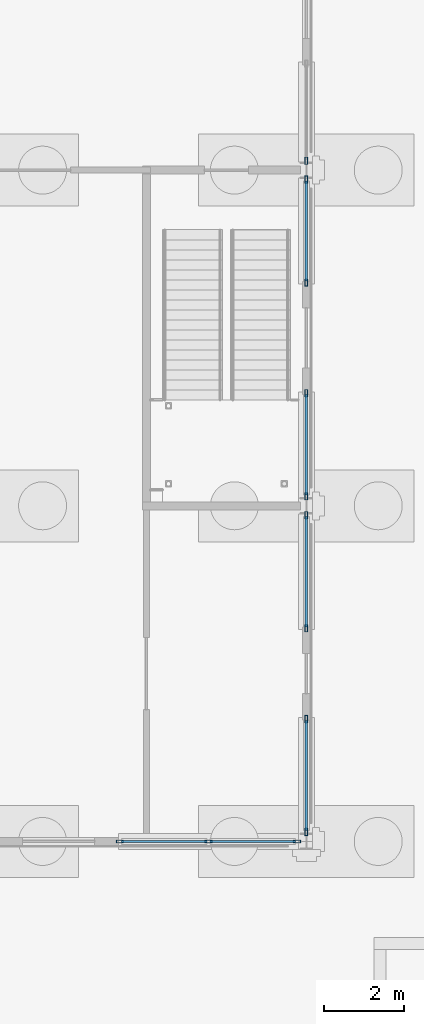
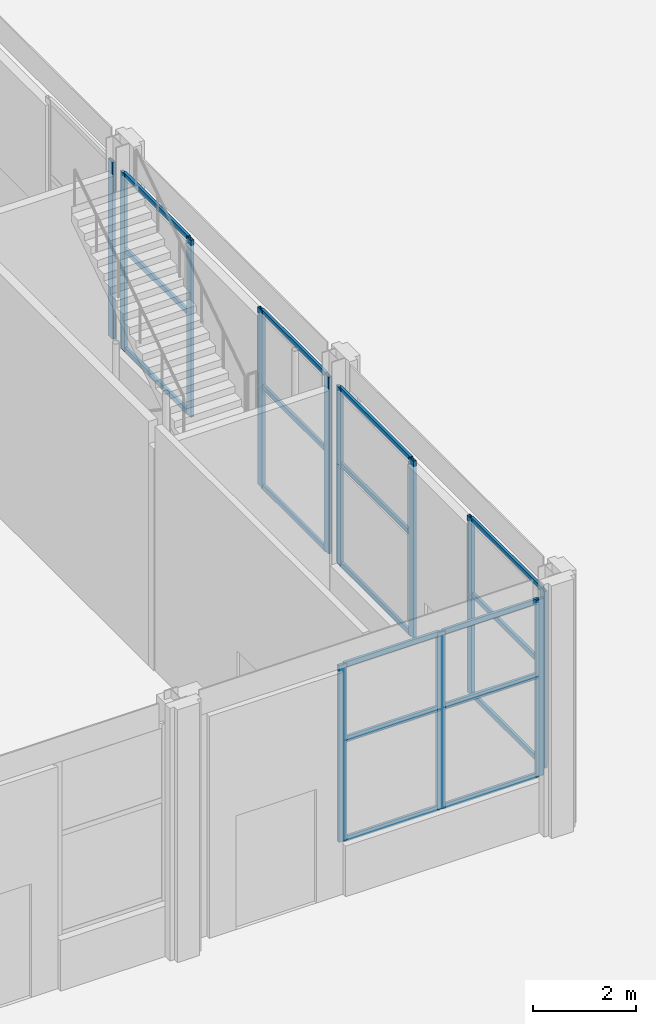
# One storey, part 156 of 212: 30 members, 6 elements without a shape of their own.
"""IFC4 building model written with IfcOpenShell, lengths in metres."""

from ifc_helpers import new_model, si_unit, direction, frame, origin, origin_2d, place, context, subcontext, project, spatial, hollow_rectangle, extrude, material, material_profile, profile_set, type_object, element, aggregate, save


model = new_model("IFC4")

# Units and contexts
model_context = context("Model", 3, precision=1e-05, world=origin(), true_north=direction((0.0, 1.0)))
body_context = subcontext(model_context, "Body", "Model", "MODEL_VIEW")
ifc_project = project(units=[si_unit("LENGTHUNIT", "METRE"), si_unit("AREAUNIT", "SQUARE_METRE"), si_unit("VOLUMEUNIT", "CUBIC_METRE"), si_unit("PLANEANGLEUNIT", "RADIAN"), si_unit("MASSUNIT", "GRAM", prefix="KILO")], contexts=[model_context])

# Site, building, storey
site_placement = place(None, origin())
site = spatial("IfcSite", under=ifc_project, at=site_placement, CompositionType="ELEMENT")
building_placement = place(site_placement, origin())
building = spatial("IfcBuilding", under=site, at=building_placement, Name="Catenary Quay Ferry Terminal", CompositionType="ELEMENT")
storey_placement = place(building_placement, origin())
storey = spatial("IfcBuildingStorey", under=building, at=storey_placement, Name="L00", CompositionType="ELEMENT", Elevation=0.0)

# Curtain wall, members
ifc_material_1 = material(Name="Aluminium and glass", Category="aluminium")
curtain_wall_type_1 = type_object("IfcCurtainWallType", Name="CWW4", PredefinedType="NOTDEFINED", material=ifc_material_1)
curtain_wall_1_placement = place(storey_placement, origin())
curtain_wall_1 = element("IfcCurtainWall", 1, at=curtain_wall_1_placement, inside=storey, type_object=curtain_wall_type_1, Name="Wing curtain wall CW92", PredefinedType="NOTDEFINED")
ifc_material_2 = material(Name="Aluminium", Category="aluminium")
ifc_material_profile_1 = material_profile(ifc_material_2, hollow_rectangle(XDim=0.070068359375, YDim=0.179931640625, WallThickness=0.006103515625, at=origin_2d()), Name="MU3")
ifc_profile_set_1 = profile_set([ifc_material_profile_1], Name="Aluminium")
member_type_1 = type_object("IfcMemberType", Name="MU3", PredefinedType="MULLION", material=ifc_profile_set_1)
member_1_placement = place(storey_placement, frame((67.199951171875, 159.8349609375, 1.199951171875), z_axis=(0.0, 0.0, 1.0), x_axis=(-1.0, 0.0, 0.0)))
member_1 = element("IfcMember", 2, at=member_1_placement, type_object=member_type_1, Name="CW92 mullion 1", PredefinedType="MULLION", context=body_context, shape_type="SweptSolid", body=[
    extrude(hollow_rectangle(XDim=0.070068359375, YDim=0.179931640625, WallThickness=0.006103515625, at=origin_2d()), origin(), (0.0, 0.0, 1.0), 4.199951171875),
])
member_2_placement = place(storey_placement, frame((67.199951171875, 162.6650390625, 1.199951171875), z_axis=(0.0, 0.0, 1.0), x_axis=(-1.0, 0.0, 0.0)))
member_2 = element("IfcMember", 3, at=member_2_placement, type_object=member_type_1, Name="CW92 mullion 2", PredefinedType="MULLION", context=body_context, shape_type="SweptSolid", body=[
    extrude(hollow_rectangle(XDim=0.070068359375, YDim=0.179931640625, WallThickness=0.006103515625, at=origin_2d()), origin(), (0.0, 0.0, 1.0), 4.199951171875),
])

curtain_wall_2_placement = place(storey_placement, origin())
curtain_wall_2 = element("IfcCurtainWall", 4, at=curtain_wall_2_placement, inside=storey, type_object=curtain_wall_type_1, Name="Wing curtain wall CW93", PredefinedType="NOTDEFINED")
member_3_placement = place(storey_placement, frame((67.199951171875, 164.93505859375, 1.199951171875), z_axis=(0.0, 0.0, 1.0), x_axis=(-1.0, 0.0, 0.0)))
member_3 = element("IfcMember", 5, at=member_3_placement, type_object=member_type_1, Name="CW93 mullion 1", PredefinedType="MULLION", context=body_context, shape_type="SweptSolid", body=[
    extrude(hollow_rectangle(XDim=0.070068359375, YDim=0.179931640625, WallThickness=0.006103515625, at=origin_2d()), origin(), (0.0, 0.0, 1.0), 4.199951171875),
])
member_4_placement = place(storey_placement, frame((67.199951171875, 167.764892578125, 1.199951171875), z_axis=(0.0, 0.0, 1.0), x_axis=(-1.0, 0.0, 0.0)))
member_4 = element("IfcMember", 6, at=member_4_placement, type_object=member_type_1, Name="CW93 mullion 2", PredefinedType="MULLION", context=body_context, shape_type="SweptSolid", body=[
    extrude(hollow_rectangle(XDim=0.070068359375, YDim=0.179931640625, WallThickness=0.006103515625, at=origin_2d()), origin(), (0.0, 0.0, 1.0), 4.199951171875),
])

curtain_wall_3_placement = place(storey_placement, origin())
curtain_wall_3 = element("IfcCurtainWall", 7, at=curtain_wall_3_placement, inside=storey, type_object=curtain_wall_type_1, Name="Wing curtain wall CW94", PredefinedType="NOTDEFINED")
member_5_placement = place(storey_placement, frame((67.199951171875, 168.235107421875, 1.199951171875), z_axis=(0.0, 0.0, 1.0), x_axis=(-1.0, 0.0, 0.0)))
member_5 = element("IfcMember", 8, at=member_5_placement, type_object=member_type_1, Name="CW94 mullion 1", PredefinedType="MULLION", context=body_context, shape_type="SweptSolid", body=[
    extrude(hollow_rectangle(XDim=0.070068359375, YDim=0.179931640625, WallThickness=0.006103515625, at=origin_2d()), origin(), (0.0, 0.0, 1.0), 4.199951171875),
])
member_6_placement = place(storey_placement, frame((67.199951171875, 170.81494140625, 1.199951171875), z_axis=(0.0, 0.0, 1.0), x_axis=(-1.0, 0.0, 0.0)))
member_6 = element("IfcMember", 9, at=member_6_placement, type_object=member_type_1, Name="CW94 mullion 2", PredefinedType="MULLION", context=body_context, shape_type="SweptSolid", body=[
    extrude(hollow_rectangle(XDim=0.070068359375, YDim=0.179931640625, WallThickness=0.006103515625, at=origin_2d()), origin(), (0.0, 0.0, 1.0), 4.199951171875),
])

curtain_wall_4_placement = place(storey_placement, origin())
curtain_wall_4 = element("IfcCurtainWall", 10, at=curtain_wall_4_placement, inside=storey, type_object=curtain_wall_type_1, Name="Wing curtain wall CW95", PredefinedType="NOTDEFINED")
member_7_placement = place(storey_placement, frame((67.199951171875, 173.5849609375, 1.199951171875), z_axis=(0.0, 0.0, 1.0), x_axis=(-1.0, 0.0, 0.0)))
member_7 = element("IfcMember", 11, at=member_7_placement, type_object=member_type_1, Name="CW95 mullion 1", PredefinedType="MULLION", context=body_context, shape_type="SweptSolid", body=[
    extrude(hollow_rectangle(XDim=0.070068359375, YDim=0.179931640625, WallThickness=0.006103515625, at=origin_2d()), origin(), (0.0, 0.0, 1.0), 4.199951171875),
])
member_8_placement = place(storey_placement, frame((67.199951171875, 176.1650390625, 1.199951171875), z_axis=(0.0, 0.0, 1.0), x_axis=(-1.0, 0.0, 0.0)))
member_8 = element("IfcMember", 12, at=member_8_placement, type_object=member_type_1, Name="CW95 mullion 2", PredefinedType="MULLION", context=body_context, shape_type="SweptSolid", body=[
    extrude(hollow_rectangle(XDim=0.070068359375, YDim=0.179931640625, WallThickness=0.006103515625, at=origin_2d()), origin(), (0.0, 0.0, 1.0), 4.199951171875),
])

# Curtain wall, member
ifc_material_3 = material(Name="Aluminium and glass", Category="aluminium")
curtain_wall_type_2 = type_object("IfcCurtainWallType", Name="CWW1", PredefinedType="NOTDEFINED", material=ifc_material_3)
curtain_wall_5_placement = place(storey_placement, origin())
curtain_wall_5 = element("IfcCurtainWall", 13, at=curtain_wall_5_placement, inside=storey, type_object=curtain_wall_type_2, Name="Wing curtain wall CW96", PredefinedType="NOTDEFINED")
member_9_placement = place(storey_placement, frame((67.199951171875, 176.635009765625, 1.199951171875), z_axis=(0.0, 0.0, 1.0), x_axis=(-1.0, 0.0, 0.0)))
member_9 = element("IfcMember", 14, at=member_9_placement, type_object=member_type_1, Name="CW96 mullion 1", PredefinedType="MULLION", context=body_context, shape_type="SweptSolid", body=[
    extrude(hollow_rectangle(XDim=0.070068359375, YDim=0.179931640625, WallThickness=0.006103515625, at=origin_2d()), origin(), (0.0, 0.0, 1.0), 4.199951171875),
])
aggregate(curtain_wall_5, [member_9])

# Curtain wall, members
curtain_wall_6_placement = place(storey_placement, origin())
curtain_wall_6 = element("IfcCurtainWall", 15, at=curtain_wall_6_placement, inside=storey, type_object=curtain_wall_type_1, Name="Wing curtain wall CW115", PredefinedType="NOTDEFINED")
member_10_placement = place(storey_placement, frame((62.534912109375, 159.60009765625, 1.199951171875), z_axis=(0.0, 0.0, 1.0), x_axis=(0.0, 1.0, 0.0)))
member_10 = element("IfcMember", 16, at=member_10_placement, type_object=member_type_1, Name="CW115 mullion 1", PredefinedType="MULLION", context=body_context, shape_type="SweptSolid", body=[
    extrude(hollow_rectangle(XDim=0.070068359375, YDim=0.179931640625, WallThickness=0.006103515625, at=origin_2d()), origin(), (0.0, 0.0, 1.0), 4.199951171875),
])
member_11_placement = place(storey_placement, frame((64.75, 159.60009765625, 1.199951171875), z_axis=(0.0, 0.0, 1.0), x_axis=(0.0, 1.0, 0.0)))
member_11 = element("IfcMember", 17, at=member_11_placement, type_object=member_type_1, Name="CW115 mullion 2", PredefinedType="MULLION", context=body_context, shape_type="SweptSolid", body=[
    extrude(hollow_rectangle(XDim=0.070068359375, YDim=0.179931640625, WallThickness=0.006103515625, at=origin_2d()), origin(), (0.0, 0.0, 1.0), 4.199951171875),
])
member_12_placement = place(storey_placement, frame((66.965087890625, 159.60009765625, 1.199951171875), z_axis=(0.0, 0.0, 1.0), x_axis=(0.0, 1.0, 0.0)))
member_12 = element("IfcMember", 18, at=member_12_placement, type_object=member_type_1, Name="CW115 mullion 3", PredefinedType="MULLION", context=body_context, shape_type="SweptSolid", body=[
    extrude(hollow_rectangle(XDim=0.070068359375, YDim=0.179931640625, WallThickness=0.006103515625, at=origin_2d()), origin(), (0.0, 0.0, 1.0), 4.199951171875),
])

# Member
ifc_material_4 = material(Name="Aluminium", Category="aluminium")
ifc_material_profile_2 = material_profile(ifc_material_4, hollow_rectangle(XDim=0.06005859375, YDim=0.1201171875, WallThickness=0.0048828125, at=origin_2d()), Name="TR3")
ifc_profile_set_2 = profile_set([ifc_material_profile_2], Name="Aluminium")
member_type_2 = type_object("IfcMemberType", Name="TR3", PredefinedType="USERDEFINED", material=ifc_profile_set_2)
member_13_placement = place(storey_placement, frame((67.199951171875, 159.8701171875, 1.22998046875), z_axis=(0.0, 1.0, 0.0), x_axis=(-1.0, 0.0, 0.0)))
member_13 = element("IfcMember", 19, at=member_13_placement, type_object=member_type_2, Name="CW92 transom 1.1", ObjectType="TRANSOM", PredefinedType="USERDEFINED", context=body_context, shape_type="SweptSolid", body=[
    extrude(hollow_rectangle(XDim=0.06005859375, YDim=0.1201171875, WallThickness=0.0048828125, at=origin_2d()), origin(), (0.0, 0.0, 1.0), 2.759765625),
])

member_14_placement = place(storey_placement, frame((67.199951171875, 159.8701171875, 3.60009765625), z_axis=(0.0, 1.0, 0.0), x_axis=(-1.0, 0.0, 0.0)))
member_14 = element("IfcMember", 20, at=member_14_placement, type_object=member_type_2, Name="CW92 transom 1.2", ObjectType="TRANSOM", PredefinedType="USERDEFINED", context=body_context, shape_type="SweptSolid", body=[
    extrude(hollow_rectangle(XDim=0.06005859375, YDim=0.1201171875, WallThickness=0.0048828125, at=origin_2d()), origin(), (0.0, 0.0, 1.0), 2.759765625),
])

member_15_placement = place(storey_placement, frame((67.199951171875, 159.8701171875, 5.3701171875), z_axis=(0.0, 1.0, 0.0), x_axis=(-1.0, 0.0, 0.0)))
member_15 = element("IfcMember", 21, at=member_15_placement, type_object=member_type_2, Name="CW92 transom 1.3", ObjectType="TRANSOM", PredefinedType="USERDEFINED", context=body_context, shape_type="SweptSolid", body=[
    extrude(hollow_rectangle(XDim=0.06005859375, YDim=0.1201171875, WallThickness=0.0048828125, at=origin_2d()), origin(), (0.0, 0.0, 1.0), 2.759765625),
])

aggregate(curtain_wall_1, [member_1, member_2, member_13, member_14, member_15])

member_16_placement = place(storey_placement, frame((67.199951171875, 164.969970703125, 1.22998046875), z_axis=(0.0, 1.0, 0.0), x_axis=(-1.0, 0.0, 0.0)))
member_16 = element("IfcMember", 22, at=member_16_placement, type_object=member_type_2, Name="CW93 transom 1.1", ObjectType="TRANSOM", PredefinedType="USERDEFINED", context=body_context, shape_type="SweptSolid", body=[
    extrude(hollow_rectangle(XDim=0.06005859375, YDim=0.1201171875, WallThickness=0.0048828125, at=origin_2d()), origin(), (0.0, 0.0, 1.0), 2.760009765625),
])

member_17_placement = place(storey_placement, frame((67.199951171875, 164.969970703125, 3.60009765625), z_axis=(0.0, 1.0, 0.0), x_axis=(-1.0, 0.0, 0.0)))
member_17 = element("IfcMember", 23, at=member_17_placement, type_object=member_type_2, Name="CW93 transom 1.2", ObjectType="TRANSOM", PredefinedType="USERDEFINED", context=body_context, shape_type="SweptSolid", body=[
    extrude(hollow_rectangle(XDim=0.06005859375, YDim=0.1201171875, WallThickness=0.0048828125, at=origin_2d()), origin(), (0.0, 0.0, 1.0), 2.760009765625),
])

member_18_placement = place(storey_placement, frame((67.199951171875, 164.969970703125, 5.3701171875), z_axis=(0.0, 1.0, 0.0), x_axis=(-1.0, 0.0, 0.0)))
member_18 = element("IfcMember", 24, at=member_18_placement, type_object=member_type_2, Name="CW93 transom 1.3", ObjectType="TRANSOM", PredefinedType="USERDEFINED", context=body_context, shape_type="SweptSolid", body=[
    extrude(hollow_rectangle(XDim=0.06005859375, YDim=0.1201171875, WallThickness=0.0048828125, at=origin_2d()), origin(), (0.0, 0.0, 1.0), 2.760009765625),
])

aggregate(curtain_wall_2, [member_3, member_4, member_16, member_17, member_18])

member_19_placement = place(storey_placement, frame((67.199951171875, 168.27001953125, 1.22998046875), z_axis=(0.0, 1.0, 0.0), x_axis=(-1.0, 0.0, 0.0)))
member_19 = element("IfcMember", 25, at=member_19_placement, type_object=member_type_2, Name="CW94 transom 1.1", ObjectType="TRANSOM", PredefinedType="USERDEFINED", context=body_context, shape_type="SweptSolid", body=[
    extrude(hollow_rectangle(XDim=0.06005859375, YDim=0.1201171875, WallThickness=0.0048828125, at=origin_2d()), origin(), (0.0, 0.0, 1.0), 2.510009765625),
])

member_20_placement = place(storey_placement, frame((67.199951171875, 168.27001953125, 3.60009765625), z_axis=(0.0, 1.0, 0.0), x_axis=(-1.0, 0.0, 0.0)))
member_20 = element("IfcMember", 26, at=member_20_placement, type_object=member_type_2, Name="CW94 transom 1.2", ObjectType="TRANSOM", PredefinedType="USERDEFINED", context=body_context, shape_type="SweptSolid", body=[
    extrude(hollow_rectangle(XDim=0.06005859375, YDim=0.1201171875, WallThickness=0.0048828125, at=origin_2d()), origin(), (0.0, 0.0, 1.0), 2.510009765625),
])

member_21_placement = place(storey_placement, frame((67.199951171875, 168.27001953125, 5.3701171875), z_axis=(0.0, 1.0, 0.0), x_axis=(-1.0, 0.0, 0.0)))
member_21 = element("IfcMember", 27, at=member_21_placement, type_object=member_type_2, Name="CW94 transom 1.3", ObjectType="TRANSOM", PredefinedType="USERDEFINED", context=body_context, shape_type="SweptSolid", body=[
    extrude(hollow_rectangle(XDim=0.06005859375, YDim=0.1201171875, WallThickness=0.0048828125, at=origin_2d()), origin(), (0.0, 0.0, 1.0), 2.510009765625),
])

aggregate(curtain_wall_3, [member_5, member_6, member_19, member_20, member_21])

member_22_placement = place(storey_placement, frame((67.199951171875, 173.6201171875, 1.22998046875), z_axis=(0.0, 1.0, 0.0), x_axis=(-1.0, 0.0, 0.0)))
member_22 = element("IfcMember", 28, at=member_22_placement, type_object=member_type_2, Name="CW95 transom 1.1", ObjectType="TRANSOM", PredefinedType="USERDEFINED", context=body_context, shape_type="SweptSolid", body=[
    extrude(hollow_rectangle(XDim=0.06005859375, YDim=0.1201171875, WallThickness=0.0048828125, at=origin_2d()), origin(), (0.0, 0.0, 1.0), 2.509765625),
])

member_23_placement = place(storey_placement, frame((67.199951171875, 173.6201171875, 3.60009765625), z_axis=(0.0, 1.0, 0.0), x_axis=(-1.0, 0.0, 0.0)))
member_23 = element("IfcMember", 29, at=member_23_placement, type_object=member_type_2, Name="CW95 transom 1.2", ObjectType="TRANSOM", PredefinedType="USERDEFINED", context=body_context, shape_type="SweptSolid", body=[
    extrude(hollow_rectangle(XDim=0.06005859375, YDim=0.1201171875, WallThickness=0.0048828125, at=origin_2d()), origin(), (0.0, 0.0, 1.0), 2.509765625),
])

member_24_placement = place(storey_placement, frame((67.199951171875, 173.6201171875, 5.3701171875), z_axis=(0.0, 1.0, 0.0), x_axis=(-1.0, 0.0, 0.0)))
member_24 = element("IfcMember", 30, at=member_24_placement, type_object=member_type_2, Name="CW95 transom 1.3", ObjectType="TRANSOM", PredefinedType="USERDEFINED", context=body_context, shape_type="SweptSolid", body=[
    extrude(hollow_rectangle(XDim=0.06005859375, YDim=0.1201171875, WallThickness=0.0048828125, at=origin_2d()), origin(), (0.0, 0.0, 1.0), 2.509765625),
])

aggregate(curtain_wall_4, [member_7, member_8, member_22, member_23, member_24])

member_25_placement = place(storey_placement, frame((62.570068359375, 159.60009765625, 1.22998046875), z_axis=(1.0, 0.0, 0.0), x_axis=(0.0, 1.0, 0.0)))
member_25 = element("IfcMember", 31, at=member_25_placement, type_object=member_type_2, Name="CW115 transom 1.1", ObjectType="TRANSOM", PredefinedType="USERDEFINED", context=body_context, shape_type="SweptSolid", body=[
    extrude(hollow_rectangle(XDim=0.06005859375, YDim=0.1201171875, WallThickness=0.0048828125, at=origin_2d()), origin(), (0.0, 0.0, 1.0), 2.14501953125),
])

member_26_placement = place(storey_placement, frame((62.570068359375, 159.60009765625, 3.60009765625), z_axis=(1.0, 0.0, 0.0), x_axis=(0.0, 1.0, 0.0)))
member_26 = element("IfcMember", 32, at=member_26_placement, type_object=member_type_2, Name="CW115 transom 1.2", ObjectType="TRANSOM", PredefinedType="USERDEFINED", context=body_context, shape_type="SweptSolid", body=[
    extrude(hollow_rectangle(XDim=0.06005859375, YDim=0.1201171875, WallThickness=0.0048828125, at=origin_2d()), origin(), (0.0, 0.0, 1.0), 2.14501953125),
])

member_27_placement = place(storey_placement, frame((62.570068359375, 159.60009765625, 5.3701171875), z_axis=(1.0, 0.0, 0.0), x_axis=(0.0, 1.0, 0.0)))
member_27 = element("IfcMember", 33, at=member_27_placement, type_object=member_type_2, Name="CW115 transom 1.3", ObjectType="TRANSOM", PredefinedType="USERDEFINED", context=body_context, shape_type="SweptSolid", body=[
    extrude(hollow_rectangle(XDim=0.06005859375, YDim=0.1201171875, WallThickness=0.0048828125, at=origin_2d()), origin(), (0.0, 0.0, 1.0), 2.14501953125),
])

member_28_placement = place(storey_placement, frame((64.784912109375, 159.60009765625, 1.22998046875), z_axis=(1.0, 0.0, 0.0), x_axis=(0.0, 1.0, 0.0)))
member_28 = element("IfcMember", 34, at=member_28_placement, type_object=member_type_2, Name="CW115 transom 2.1", ObjectType="TRANSOM", PredefinedType="USERDEFINED", context=body_context, shape_type="SweptSolid", body=[
    extrude(hollow_rectangle(XDim=0.06005859375, YDim=0.1201171875, WallThickness=0.0048828125, at=origin_2d()), origin(), (0.0, 0.0, 1.0), 2.14501953125),
])

member_29_placement = place(storey_placement, frame((64.784912109375, 159.60009765625, 3.60009765625), z_axis=(1.0, 0.0, 0.0), x_axis=(0.0, 1.0, 0.0)))
member_29 = element("IfcMember", 35, at=member_29_placement, type_object=member_type_2, Name="CW115 transom 2.2", ObjectType="TRANSOM", PredefinedType="USERDEFINED", context=body_context, shape_type="SweptSolid", body=[
    extrude(hollow_rectangle(XDim=0.06005859375, YDim=0.1201171875, WallThickness=0.0048828125, at=origin_2d()), origin(), (0.0, 0.0, 1.0), 2.14501953125),
])

member_30_placement = place(storey_placement, frame((64.784912109375, 159.60009765625, 5.3701171875), z_axis=(1.0, 0.0, 0.0), x_axis=(0.0, 1.0, 0.0)))
member_30 = element("IfcMember", 36, at=member_30_placement, type_object=member_type_2, Name="CW115 transom 2.3", ObjectType="TRANSOM", PredefinedType="USERDEFINED", context=body_context, shape_type="SweptSolid", body=[
    extrude(hollow_rectangle(XDim=0.06005859375, YDim=0.1201171875, WallThickness=0.0048828125, at=origin_2d()), origin(), (0.0, 0.0, 1.0), 2.14501953125),
])

aggregate(curtain_wall_6, [member_10, member_11, member_12, member_25, member_26, member_27, member_28, member_29, member_30])

save(model, "model.ifc")
